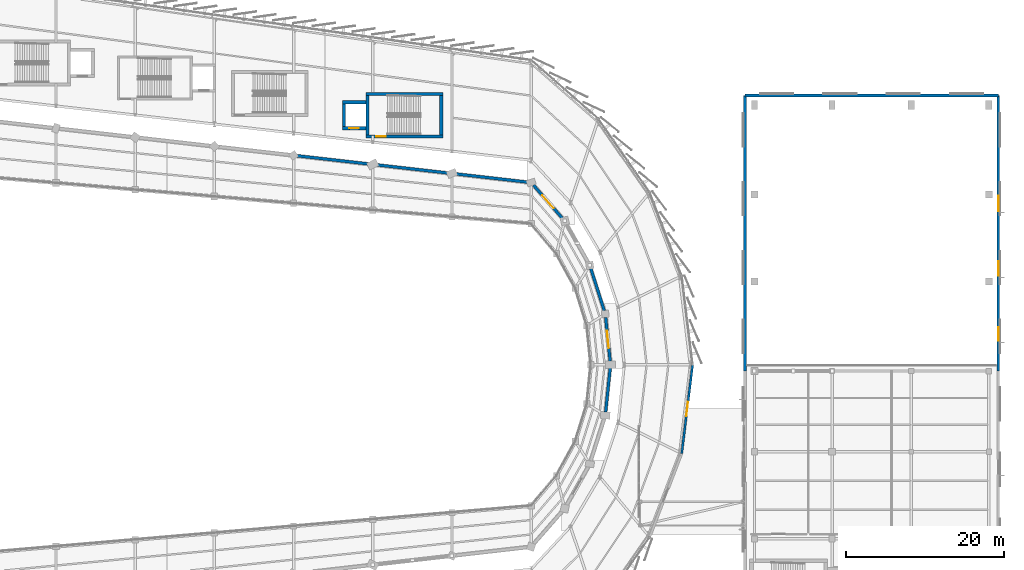
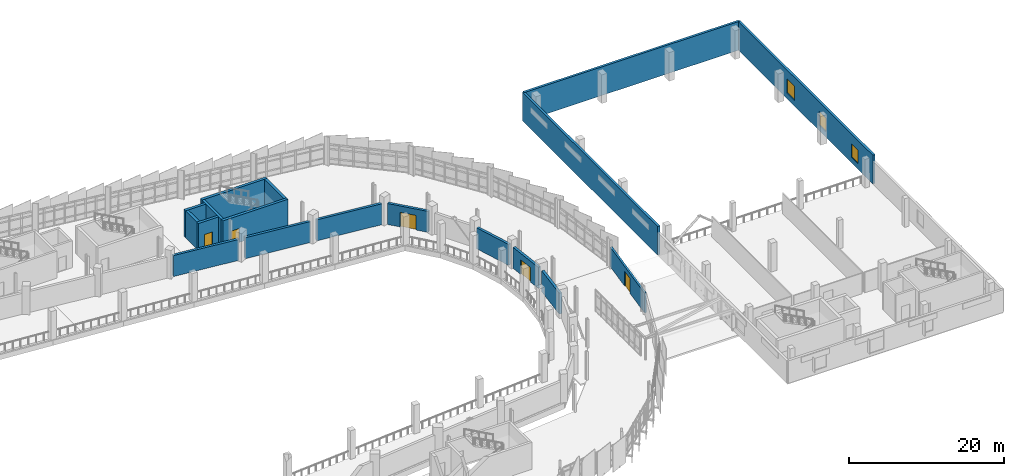
# One storey, part 109 of 125: 18 walls, 5 doors, 3 windows, 8 openings.
"""IFC4 building model written with IfcOpenShell, lengths in metres."""

from ifc_helpers import new_model, si_unit, direction, frame, frame_2d, origin, place, context, subcontext, project, spatial, rectangle, extrude, material, layer, layer_set, type_object, element, fill, save


model = new_model("IFC4")

# Units and contexts
model_context = context("Model", 3, precision=1e-05, world=origin(), true_north=direction((0.0, 1.0)))
body_context = subcontext(model_context, "Body", "Model", "MODEL_VIEW")
ifc_project = project(units=[si_unit("LENGTHUNIT", "METRE"), si_unit("AREAUNIT", "SQUARE_METRE"), si_unit("VOLUMEUNIT", "CUBIC_METRE"), si_unit("PLANEANGLEUNIT", "RADIAN"), si_unit("MASSUNIT", "GRAM", prefix="KILO")], contexts=[model_context])

# Site, building, storey
site_placement = place(None, origin())
site = spatial("IfcSite", under=ifc_project, at=site_placement, CompositionType="ELEMENT")
building_placement = place(site_placement, origin())
building = spatial("IfcBuilding", under=site, at=building_placement, Name="Sohan Crest Arena", CompositionType="ELEMENT")
storey_placement = place(building_placement, frame((0.0, 0.0, 9.0)))
storey = spatial("IfcBuildingStorey", under=building, at=storey_placement, Name="L02", CompositionType="ELEMENT", Elevation=9.0)

# Wall, opening, door
ifc_material_1 = material(Name="Clinker brick and ceramic mosaic envelope wall", Category="masonry")
ifc_layer_1 = layer(ifc_material_1, 0.280029296875, Name="Clinker brick and ceramic mosaic envelope wall")
ifc_layer_set_1 = layer_set([ifc_layer_1], Name="Clinker brick and ceramic mosaic envelope wall")
wall_type_1 = type_object("IfcWallType", Name="WAL-EW02", PredefinedType="SOLIDWALL", material=ifc_layer_set_1)
wall_1_placement = place(storey_placement, frame((187.014892578125, 66.7880859375, 0.0), z_axis=(0.0, 0.0, 1.0), x_axis=(0.121640272744, 0.99257425115, 0.0)))
wall_1 = element("IfcWall", 1, at=wall_1_placement, inside=storey, type_object=wall_type_1, Name="External wall EW-095", PredefinedType="SOLIDWALL", context=body_context, shape_type="SweptSolid", body=[
    extrude(rectangle(XDim=11.2958984375, YDim=0.280029296875, at=frame_2d((5.64794921875, 0.0))), origin(), (0.0, 0.0, 1.0), 3.10009765625),
])
opening_1_placement = place(wall_1_placement, frame((4.748046875, 0.0, 0.0)))
opening_1 = element("IfcOpeningElement", 2, at=opening_1_placement, cuts=wall_1, Name="Opening BD-L02-23", PredefinedType="OPENING", context=body_context, shape_type="SweptSolid", body=[
    extrude(rectangle(XDim=1.800048828125, YDim=2.35009765625, at=frame_2d((0.89990234375, 1.175048828125))), frame((0.0, 0.14990234375, 0.0), z_axis=(0.0, -1.0, 0.0), x_axis=(1.0, 0.0, 0.0)), (0.0, 0.0, 1.0), 0.300048828125),
])
ifc_material_2 = material(Name="Glazed aluminium terrace access door", Category="aluminium")
door_type_1 = type_object("IfcDoorType", Name="DR-ED01", OperationType="DOUBLE_DOOR_SINGLE_SWING", PredefinedType="DOOR", material=ifc_material_2)
door_1_placement = place(opening_1_placement, frame((1.800048828125, 0.0, 0.0), z_axis=(0.0, 0.0, 1.0), x_axis=(-1.0, 0.0, 0.0)))
door_1 = element("IfcDoor", 3, at=door_1_placement, inside=storey, type_object=door_type_1, Name="Covered bridge passage door BD-L02-23", OperationType="DOUBLE_DOOR_SINGLE_SWING", OverallHeight=2.35009765625, OverallWidth=1.800048828125, PredefinedType="DOOR", context=body_context, shape_type="SweptSolid", body=[
    extrude(rectangle(XDim=1.800048828125, YDim=2.35009765625, at=frame_2d((0.89990234375, 1.175048828125))), frame((0.0, 0.02490234375, 0.0), z_axis=(0.0, -1.0, 0.0), x_axis=(1.0, 0.0, 0.0)), (0.0, 0.0, 1.0), 0.050048828125),
])
fill(opening_1, door_1)

# Wall, openings, windows
ifc_material_3 = material(Name="Honed dark basalt stone cladding wall", Category="masonry")
ifc_layer_2 = layer(ifc_material_3, 0.340087890625, Name="Honed dark basalt stone cladding wall")
ifc_layer_set_2 = layer_set([ifc_layer_2], Name="Honed dark basalt stone cladding wall")
wall_type_2 = type_object("IfcWallType", Name="WAL-EW04", PredefinedType="SOLIDWALL", material=ifc_layer_set_2)
wall_2_placement = place(storey_placement, frame((227.0, 77.199951171875, 0.0), z_axis=(0.0, 0.0, 1.0), x_axis=(0.0, 1.0, 0.0)))
wall_2 = element("IfcWall", 4, at=wall_2_placement, inside=storey, type_object=wall_type_2, Name="External wall EW-116", PredefinedType="SOLIDWALL", context=body_context, shape_type="SweptSolid", body=[
    extrude(rectangle(XDim=34.800048828125, YDim=0.340087890625, at=frame_2d((17.39990234375, 0.0))), origin(), (0.0, 0.0, 1.0), 4.5),
])
opening_2_placement = place(wall_2_placement, frame((3.800048828125, 0.0, 0.85009765625)))
opening_2 = element("IfcOpeningElement", 5, at=opening_2_placement, cuts=wall_2, Name="Opening W-020", PredefinedType="OPENING", context=body_context, shape_type="SweptSolid", body=[
    extrude(rectangle(XDim=1.75, YDim=2.14990234375, at=frame_2d((0.875, 1.074951171875))), frame((0.0, 0.179931640625, 0.0), z_axis=(0.0, -1.0, 0.0), x_axis=(1.0, 0.0, 0.0)), (0.0, 0.0, 1.0), 0.360107421875),
])
opening_3_placement = place(wall_2_placement, frame((12.0, 0.0, 0.85009765625)))
opening_3 = element("IfcOpeningElement", 6, at=opening_3_placement, cuts=wall_2, Name="Opening W-021", PredefinedType="OPENING", context=body_context, shape_type="SweptSolid", body=[
    extrude(rectangle(XDim=1.85009765625, YDim=2.199951171875, at=frame_2d((0.925048828125, 1.10009765625))), frame((0.0, 0.179931640625, 0.0), z_axis=(0.0, -1.0, 0.0), x_axis=(1.0, 0.0, 0.0)), (0.0, 0.0, 1.0), 0.360107421875),
])
opening_4_placement = place(wall_2_placement, frame((20.199951171875, 0.0, 0.85009765625)))
opening_4 = element("IfcOpeningElement", 7, at=opening_4_placement, cuts=wall_2, Name="Opening W-022", PredefinedType="OPENING", context=body_context, shape_type="SweptSolid", body=[
    extrude(rectangle(XDim=1.949951171875, YDim=2.25, at=frame_2d((0.97509765625, 1.125))), frame((0.0, 0.179931640625, 0.0), z_axis=(0.0, -1.0, 0.0), x_axis=(1.0, 0.0, 0.0)), (0.0, 0.0, 1.0), 0.360107421875),
])
ifc_material_4 = material(Name="Low-E double-glazed insulated glass", Category="glass")
window_type_1 = type_object("IfcWindowType", Name="WIN-W20", PartitioningType="SINGLE_PANEL", PredefinedType="WINDOW", material=ifc_material_4)
window_1_placement = place(opening_2_placement, origin())
window_1 = element("IfcWindow", 8, at=window_1_placement, inside=storey, type_object=window_type_1, Name="Community wing window W-020", OverallHeight=2.14990234375, OverallWidth=1.75, PartitioningType="SINGLE_PANEL", PredefinedType="WINDOW", context=body_context, shape_type="SweptSolid", body=[
    extrude(rectangle(XDim=1.75, YDim=2.14990234375, at=frame_2d((0.875, 1.074951171875))), frame((0.0, 0.030029296875, 0.0), z_axis=(0.0, -1.0, 0.0), x_axis=(1.0, 0.0, 0.0)), (0.0, 0.0, 1.0), 0.06005859375),
])
fill(opening_2, window_1)
window_type_2 = type_object("IfcWindowType", Name="WIN-W21", PartitioningType="SINGLE_PANEL", PredefinedType="WINDOW", material=ifc_material_4)
window_2_placement = place(opening_3_placement, origin())
window_2 = element("IfcWindow", 9, at=window_2_placement, inside=storey, type_object=window_type_2, Name="Community wing window W-021", OverallHeight=2.199951171875, OverallWidth=1.85009765625, PartitioningType="SINGLE_PANEL", PredefinedType="WINDOW", context=body_context, shape_type="SweptSolid", body=[
    extrude(rectangle(XDim=1.85009765625, YDim=2.199951171875, at=frame_2d((0.925048828125, 1.10009765625))), frame((0.0, 0.030029296875, 0.0), z_axis=(0.0, -1.0, 0.0), x_axis=(1.0, 0.0, 0.0)), (0.0, 0.0, 1.0), 0.06005859375),
])
fill(opening_3, window_2)
window_type_3 = type_object("IfcWindowType", Name="WIN-W22", PartitioningType="SINGLE_PANEL", PredefinedType="WINDOW", material=ifc_material_4)
window_3_placement = place(opening_4_placement, origin())
window_3 = element("IfcWindow", 10, at=window_3_placement, inside=storey, type_object=window_type_3, Name="Community wing window W-022", OverallHeight=2.25, OverallWidth=1.949951171875, PartitioningType="SINGLE_PANEL", PredefinedType="WINDOW", context=body_context, shape_type="SweptSolid", body=[
    extrude(rectangle(XDim=1.949951171875, YDim=2.25, at=frame_2d((0.97509765625, 1.125))), frame((0.0, 0.030029296875, 0.0), z_axis=(0.0, -1.0, 0.0), x_axis=(1.0, 0.0, 0.0)), (0.0, 0.0, 1.0), 0.06005859375),
])
fill(opening_4, window_3)

# Walls
wall_3_placement = place(storey_placement, frame((227.0, 112.0, 0.0), z_axis=(0.0, 0.0, 1.0), x_axis=(-1.0, 0.0, 0.0)))
element("IfcWall", 11, at=wall_3_placement, inside=storey, type_object=wall_type_2, Name="External wall EW-117", PredefinedType="SOLIDWALL", context=body_context, shape_type="SweptSolid", body=[
    extrude(rectangle(XDim=32.0, YDim=0.340087890625, at=frame_2d((16.0, 0.0))), origin(), (0.0, 0.0, 1.0), 4.5),
])
wall_4_placement = place(storey_placement, frame((195.0, 112.0, 0.0), z_axis=(0.0, 0.0, 1.0), x_axis=(0.0, -1.0, 0.0)))
element("IfcWall", 12, at=wall_4_placement, inside=storey, type_object=wall_type_2, Name="External wall EW-118", PredefinedType="SOLIDWALL", context=body_context, shape_type="SweptSolid", body=[
    extrude(rectangle(XDim=34.800048828125, YDim=0.340087890625, at=frame_2d((17.39990234375, 0.0))), origin(), (0.0, 0.0, 1.0), 4.5),
])
ifc_material_5 = material(Name="Acoustic insulated bowl drum enclosure wall", Category="masonry")
ifc_layer_3 = layer(ifc_material_5, 0.3701171875, Name="Acoustic insulated bowl drum enclosure wall")
ifc_layer_set_3 = layer_set([ifc_layer_3], Name="Acoustic insulated bowl drum enclosure wall")
wall_type_3 = type_object("IfcWallType", Name="WAL-EW05", PredefinedType="SOLIDWALL", material=ifc_layer_set_3)
wall_5_placement = place(storey_placement, frame((177.407958984375, 72.031005859375, 0.0), z_axis=(0.0, 0.0, 1.0), x_axis=(0.102524636366, 0.994730465472, 0.0)))
element("IfcWall", 13, at=wall_5_placement, inside=storey, type_object=wall_type_3, Name="Acoustic bowl drum wall BW-L02-23", PredefinedType="SOLIDWALL", context=body_context, shape_type="SweptSolid", body=[
    extrude(rectangle(XDim=5.560302734375, YDim=0.3701171875, at=frame_2d((2.7802734375, 0.0))), origin(), (0.0, 0.0, 1.0), 3.300048828125),
])

# Wall, opening, door
wall_6_placement = place(storey_placement, frame((177.97802734375, 78.43798828125, 0.0), z_axis=(0.0, 0.0, 1.0), x_axis=(-0.102524636366, 0.994730465472, 0.0)))
wall_6 = element("IfcWall", 14, at=wall_6_placement, inside=storey, type_object=wall_type_3, Name="Acoustic bowl drum wall BW-L02-24", PredefinedType="SOLIDWALL", context=body_context, shape_type="SweptSolid", body=[
    extrude(rectangle(XDim=5.560302734375, YDim=0.3701171875, at=frame_2d((2.7802734375, 0.0))), origin(), (0.0, 0.0, 1.0), 3.300048828125),
])
opening_5_placement = place(wall_6_placement, frame((1.679931640625, 0.0, 0.0)))
opening_5 = element("IfcOpeningElement", 15, at=opening_5_placement, cuts=wall_6, Name="Opening VD-L02-24", PredefinedType="OPENING", context=body_context, shape_type="SweptSolid", body=[
    extrude(rectangle(XDim=2.199951171875, YDim=2.300048828125, at=frame_2d((1.10009765625, 1.14990234375))), frame((0.0, 0.195068359375, 0.0), z_axis=(0.0, -1.0, 0.0), x_axis=(1.0, 0.0, 0.0)), (0.0, 0.0, 1.0), 0.39013671875),
])
ifc_material_6 = material(Name="Fire-rated steel double escape door", Category="steel")
door_type_2 = type_object("IfcDoorType", Name="DR-FD01", OperationType="DOUBLE_DOOR_SINGLE_SWING", PredefinedType="DOOR", material=ifc_material_6)
door_2_placement = place(opening_5_placement, origin())
door_2 = element("IfcDoor", 16, at=door_2_placement, inside=storey, type_object=door_type_2, Name="Bowl vomitory portal fire door VD-L02-24", OperationType="DOUBLE_DOOR_SINGLE_SWING", OverallHeight=2.300048828125, OverallWidth=2.199951171875, PredefinedType="DOOR", context=body_context, shape_type="SweptSolid", body=[
    extrude(rectangle(XDim=2.199951171875, YDim=2.300048828125, at=frame_2d((1.10009765625, 1.14990234375))), frame((0.0, 0.02490234375, 0.0), z_axis=(0.0, -1.0, 0.0), x_axis=(1.0, 0.0, 0.0)), (0.0, 0.0, 1.0), 0.050048828125),
])
fill(opening_5, door_2)

# Wall
wall_7_placement = place(storey_placement, frame((177.22998046875, 84.825927734375, 0.0), z_axis=(0.0, 0.0, 1.0), x_axis=(-0.30346633641, 0.952842160416, 0.0)))
element("IfcWall", 17, at=wall_7_placement, inside=storey, type_object=wall_type_3, Name="Acoustic bowl drum wall BW-L02-25", PredefinedType="SOLIDWALL", context=body_context, shape_type="SweptSolid", body=[
    extrude(rectangle(XDim=5.562255859375, YDim=0.3701171875, at=frame_2d((2.78125, 0.0))), origin(), (0.0, 0.0, 1.0), 3.300048828125),
])

# Wall, opening, door
wall_8_placement = place(storey_placement, frame((171.952880859375, 96.485107421875, 0.0), z_axis=(0.0, 0.0, 1.0), x_axis=(-0.658706624818, 0.752399881991, 0.0)))
wall_8 = element("IfcWall", 18, at=wall_8_placement, inside=storey, type_object=wall_type_3, Name="Acoustic bowl drum wall BW-L02-27", PredefinedType="SOLIDWALL", context=body_context, shape_type="SweptSolid", body=[
    extrude(rectangle(XDim=5.560546875, YDim=0.3701171875, at=frame_2d((2.7802734375, 0.0))), origin(), (0.0, 0.0, 1.0), 3.300048828125),
])
opening_6_placement = place(wall_8_placement, frame((1.679931640625, 0.0, 0.0)))
opening_6 = element("IfcOpeningElement", 19, at=opening_6_placement, cuts=wall_8, Name="Opening VD-L02-27", PredefinedType="OPENING", context=body_context, shape_type="SweptSolid", body=[
    extrude(rectangle(XDim=2.199951171875, YDim=2.300048828125, at=frame_2d((1.10009765625, 1.14990234375))), frame((0.0, 0.195068359375, 0.0), z_axis=(0.0, -1.0, 0.0), x_axis=(1.0, 0.0, 0.0)), (0.0, 0.0, 1.0), 0.39013671875),
])
door_3_placement = place(opening_6_placement, origin())
door_3 = element("IfcDoor", 20, at=door_3_placement, inside=storey, type_object=door_type_2, Name="Bowl vomitory portal fire door VD-L02-27", OperationType="DOUBLE_DOOR_SINGLE_SWING", OverallHeight=2.300048828125, OverallWidth=2.199951171875, PredefinedType="DOOR", context=body_context, shape_type="SweptSolid", body=[
    extrude(rectangle(XDim=2.199951171875, YDim=2.300048828125, at=frame_2d((1.10009765625, 1.14990234375))), frame((0.0, 0.02490234375, 0.0), z_axis=(0.0, -1.0, 0.0), x_axis=(1.0, 0.0, 0.0)), (0.0, 0.0, 1.0), 0.050048828125),
])
fill(opening_6, door_3)

# Walls
for number, where, z_axis, x_axis, name in (
    (21, (167.56298828125, 101.050048828125, 0.0), (0.0, 0.0, 1.0), (-0.993532672656, 0.113546591161, 0.0), "Acoustic bowl drum wall BW-L02-28"),
    (22, (157.56298828125, 102.193115234375, 0.0), (0.0, 0.0, 1.0), (-0.993532672656, 0.113546591161, 0.0), "Acoustic bowl drum wall BW-L02-29"),
    (23, (147.56298828125, 103.3359375, 0.0), (0.0, 0.0, 1.0), (-0.993532672656, 0.113546591161, 0.0), "Acoustic bowl drum wall BW-L02-30"),
):
    element("IfcWall", number, at=place(storey_placement, frame(where, z_axis=z_axis, x_axis=x_axis)), inside=storey, type_object=wall_type_3, Name=name, PredefinedType="SOLIDWALL", context=body_context, shape_type="SweptSolid", body=[
        extrude(rectangle(XDim=9.185302734375, YDim=0.3701171875, at=frame_2d((4.5927734375, 0.0))), origin(), (0.0, 0.0, 1.0), 3.300048828125),
    ])
ifc_material_7 = material(Name="Concrete C40/50", Category="concrete")
ifc_layer_4 = layer(ifc_material_7, 0.39990234375, Name="Concrete C40/50")
ifc_layer_set_4 = layer_set([ifc_layer_4], Name="Concrete C40/50")
wall_type_4 = type_object("IfcWallType", Name="WAL-SW03", PredefinedType="SHEAR", material=ifc_layer_set_4)
for number, where, z_axis, x_axis, name in (
    (24, (147.35009765625, 107.0, 0.0), (0.0, 0.0, 1.0), (0.0, 1.0, 0.0), "Core shear wall SW-0466"),
    (25, (156.64990234375, 107.0, 0.0), (0.0, 0.0, 1.0), (0.0, 1.0, 0.0), "Core shear wall SW-0467"),
):
    element("IfcWall", number, at=place(storey_placement, frame(where, z_axis=z_axis, x_axis=x_axis)), inside=storey, type_object=wall_type_4, Name=name, PredefinedType="SHEAR", context=body_context, shape_type="SweptSolid", body=[
        extrude(rectangle(XDim=5.0, YDim=0.39990234375, at=frame_2d((2.5, 0.0))), origin(), (0.0, 0.0, 1.0), 4.25),
    ])

# Wall, opening, door
wall_9_placement = place(storey_placement, frame((147.14990234375, 106.800048828125, 0.0), z_axis=(0.0, 0.0, 1.0), x_axis=(1.0, 0.0, 0.0)))
wall_9 = element("IfcWall", 26, at=wall_9_placement, inside=storey, type_object=wall_type_4, Name="Core shear wall SW-0468", PredefinedType="SHEAR", context=body_context, shape_type="SweptSolid", body=[
    extrude(rectangle(XDim=9.7001953125, YDim=0.39990234375, at=frame_2d((4.85009765625, 0.0))), origin(), (0.0, 0.0, 1.0), 4.25),
])
opening_7_placement = place(wall_9_placement, frame((1.320068359375, 0.0, 0.0)))
opening_7 = element("IfcOpeningElement", 27, at=opening_7_placement, cuts=wall_9, Name="Opening SD-0129", PredefinedType="OPENING", context=body_context, shape_type="SweptSolid", body=[
    extrude(rectangle(XDim=1.199951171875, YDim=2.199951171875, at=frame_2d((0.60009765625, 1.10009765625))), frame((0.0, 0.2099609375, 0.0), z_axis=(0.0, -1.0, 0.0), x_axis=(1.0, 0.0, 0.0)), (0.0, 0.0, 1.0), 0.419921875),
])
ifc_material_8 = material(Name="Fire-rated steel stair and lobby door", Category="steel")
door_type_3 = type_object("IfcDoorType", Name="DR-FD04", OperationType="NOTDEFINED", PredefinedType="DOOR", material=ifc_material_8)
door_4_placement = place(opening_7_placement, frame((1.199951171875, 0.0, 0.0), z_axis=(0.0, 0.0, 1.0), x_axis=(-1.0, 0.0, 0.0)))
door_4 = element("IfcDoor", 28, at=door_4_placement, inside=storey, type_object=door_type_3, Name="Protected stair door SD-0129", OperationType="SINGLE_SWING_RIGHT", OverallHeight=2.199951171875, OverallWidth=1.199951171875, PredefinedType="DOOR", context=body_context, shape_type="SweptSolid", body=[
    extrude(rectangle(XDim=1.199951171875, YDim=2.199951171875, at=frame_2d((0.60009765625, 1.10009765625))), frame((0.0, 0.02490234375, 0.0), z_axis=(0.0, -1.0, 0.0), x_axis=(1.0, 0.0, 0.0)), (0.0, 0.0, 1.0), 0.050048828125),
])
fill(opening_7, door_4)

# Walls
wall_10_placement = place(storey_placement, frame((147.14990234375, 112.199951171875, 0.0), z_axis=(0.0, 0.0, 1.0), x_axis=(1.0, 0.0, 0.0)))
element("IfcWall", 29, at=wall_10_placement, inside=storey, type_object=wall_type_4, Name="Core shear wall SW-0469", PredefinedType="SHEAR", context=body_context, shape_type="SweptSolid", body=[
    extrude(rectangle(XDim=9.7001953125, YDim=0.39990234375, at=frame_2d((4.85009765625, 0.0))), origin(), (0.0, 0.0, 1.0), 4.25),
])
wall_11_placement = place(storey_placement, frame((144.35009765625, 108.050048828125, 0.0), z_axis=(0.0, 0.0, 1.0), x_axis=(0.0, 1.0, 0.0)))
element("IfcWall", 30, at=wall_11_placement, inside=storey, type_object=wall_type_4, Name="Core shear wall SW-0470", PredefinedType="SHEAR", context=body_context, shape_type="SweptSolid", body=[
    extrude(rectangle(XDim=2.89990234375, YDim=0.39990234375, at=frame_2d((1.449951171875, 0.0))), origin(), (0.0, 0.0, 1.0), 4.25),
])

# Wall, opening, door
wall_12_placement = place(storey_placement, frame((144.14990234375, 107.85009765625, 0.0), z_axis=(0.0, 0.0, 1.0), x_axis=(1.0, 0.0, 0.0)))
wall_12 = element("IfcWall", 31, at=wall_12_placement, inside=storey, type_object=wall_type_4, Name="Core shear wall SW-0471", PredefinedType="SHEAR", context=body_context, shape_type="SweptSolid", body=[
    extrude(rectangle(XDim=3.0, YDim=0.39990234375, at=frame_2d((1.5, 0.0))), origin(), (0.0, 0.0, 1.0), 4.25),
])
opening_8_placement = place(wall_12_placement, frame((0.89990234375, 0.0, 0.0)))
opening_8 = element("IfcOpeningElement", 32, at=opening_8_placement, cuts=wall_12, Name="Opening LD-LP08-L02", PredefinedType="OPENING", context=body_context, shape_type="SweptSolid", body=[
    extrude(rectangle(XDim=1.199951171875, YDim=2.199951171875, at=frame_2d((0.60009765625, 1.10009765625))), frame((0.0, 0.2099609375, 0.0), z_axis=(0.0, -1.0, 0.0), x_axis=(1.0, 0.0, 0.0)), (0.0, 0.0, 1.0), 0.419921875),
])
ifc_material_9 = material(Name="Stainless steel passenger lift landing door", Category="steel")
door_type_4 = type_object("IfcDoorType", Name="DR-LD02", OperationType="SLIDING_TO_LEFT", PredefinedType="DOOR", material=ifc_material_9)
door_5_placement = place(opening_8_placement, origin())
door_5 = element("IfcDoor", 33, at=door_5_placement, inside=storey, type_object=door_type_4, Name="Sliding lift landing door LD-LP08-L02", OperationType="SLIDING_TO_LEFT", OverallHeight=2.199951171875, OverallWidth=1.199951171875, PredefinedType="DOOR", context=body_context, shape_type="SweptSolid", body=[
    extrude(rectangle(XDim=1.199951171875, YDim=2.199951171875, at=frame_2d((0.60009765625, 1.10009765625))), frame((0.0, 0.02490234375, 0.0), z_axis=(0.0, -1.0, 0.0), x_axis=(1.0, 0.0, 0.0)), (0.0, 0.0, 1.0), 0.050048828125),
])
fill(opening_8, door_5)

# Wall
wall_13_placement = place(storey_placement, frame((144.14990234375, 111.14990234375, 0.0), z_axis=(0.0, 0.0, 1.0), x_axis=(1.0, 0.0, 0.0)))
element("IfcWall", 34, at=wall_13_placement, inside=storey, type_object=wall_type_4, Name="Core shear wall SW-0472", PredefinedType="SHEAR", context=body_context, shape_type="SweptSolid", body=[
    extrude(rectangle(XDim=3.0, YDim=0.39990234375, at=frame_2d((1.5, 0.0))), origin(), (0.0, 0.0, 1.0), 4.25),
])

save(model, "model.ifc")
